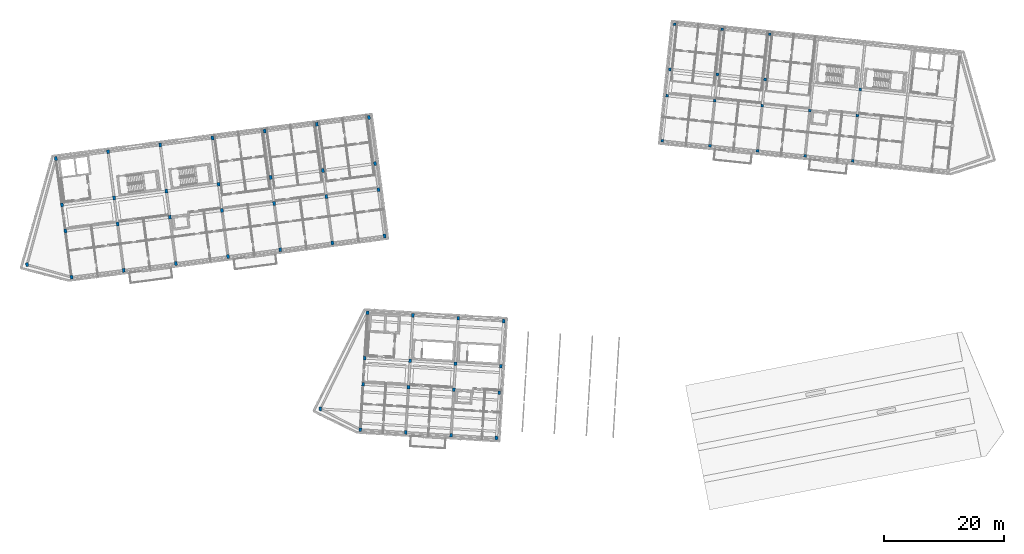
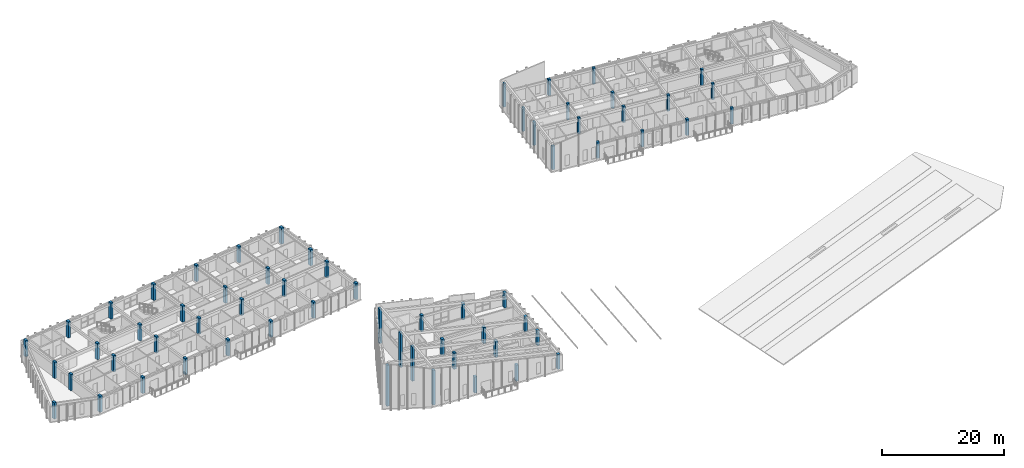
# One storey, part 1 of 45: 63 columns.
"""IFC4 building model written with IfcOpenShell, lengths in metres."""

from ifc_helpers import new_model, si_unit, direction, frame, origin, origin_2d, place, context, subcontext, project, spatial, rectangle, extrude, material, material_profile, profile_set, type_object, element, save


model = new_model("IFC4")

# Units and contexts
model_context = context("Model", 3, precision=1e-05, world=origin(), true_north=direction((0.0, 1.0)))
body_context = subcontext(model_context, "Body", "Model", "MODEL_VIEW")
ifc_project = project(units=[si_unit("LENGTHUNIT", "METRE"), si_unit("AREAUNIT", "SQUARE_METRE"), si_unit("VOLUMEUNIT", "CUBIC_METRE"), si_unit("PLANEANGLEUNIT", "RADIAN"), si_unit("MASSUNIT", "GRAM", prefix="KILO")], contexts=[model_context])

# Site, building, storey
site_placement = place(None, origin())
site = spatial("IfcSite", under=ifc_project, at=site_placement, CompositionType="ELEMENT")
building_placement = place(site_placement, origin())
building = spatial("IfcBuilding", under=site, at=building_placement, Name="Kestramere Prow Commons", CompositionType="ELEMENT")
storey_placement = place(building_placement, frame((0.0, 0.0, 31.14990234375)))
storey = spatial("IfcBuildingStorey", under=building, at=storey_placement, Name="L09", CompositionType="ELEMENT", Elevation=31.14990234375)

# Columns
ifc_material = material(Name="Precast concrete C40/50", Category="concrete")
ifc_material_profile_1 = material_profile(ifc_material, rectangle(XDim=0.449951171875, YDim=0.64990234375, at=origin_2d()), Name="PC-COL 450x650")
ifc_profile_set_1 = profile_set([ifc_material_profile_1], Name="Precast concrete C40/50")
column_type_1 = type_object("IfcColumnType", Name="C-A3 PC-COL 450x650", PredefinedType="COLUMN", material=ifc_profile_set_1)
for number, where, z_axis, x_axis, name in (
    (1, (11.199951171875, 72.0, 0.0), (0.0, 0.0, 1.0), (0.991444861374, 0.13052619222, 0.0), "Block A L09 Column 1-1"),
    (2, (10.181884765625, 79.733154296875, 0.0), (0.0, 0.0, 1.0), (0.991444861374, 0.13052619222, 0.0), "Block A L09 Column 1-2"),
    (3, (9.607666015625, 84.095703125, 0.0), (0.0, 0.0, 1.0), (0.991444861374, 0.13052619222, 0.0), "Block A L09 Column 1-3"),
    (4, (8.58935546875, 91.828857421875, 0.0), (0.0, 0.0, 1.0), (0.991444861374, 0.13052619222, 0.0), "Block A L09 Column 1-4"),
    (5, (19.9248046875, 73.148681640625, 0.0), (0.0, 0.0, 1.0), (0.991444861374, 0.13052619222, 0.0), "Block A L09 Column 2-1"),
    (6, (18.906494140625, 80.8818359375, 0.0), (0.0, 0.0, 1.0), (0.991444861374, 0.13052619222, 0.0), "Block A L09 Column 2-2"),
    (7, (18.332275390625, 85.244140625, 0.0), (0.0, 0.0, 1.0), (0.991444861374, 0.13052619222, 0.0), "Block A L09 Column 2-3"),
    (8, (17.314208984375, 92.9775390625, 0.0), (0.0, 0.0, 1.0), (0.991444861374, 0.13052619222, 0.0), "Block A L09 Column 2-4"),
    (9, (28.6494140625, 74.29736328125, 0.0), (0.0, 0.0, 1.0), (0.991444861374, 0.13052619222, 0.0), "Block A L09 Column 3-1"),
    (10, (27.63134765625, 82.030517578125, 0.0), (0.0, 0.0, 1.0), (0.991444861374, 0.13052619222, 0.0), "Block A L09 Column 3-2"),
    (11, (27.05712890625, 86.392822265625, 0.0), (0.0, 0.0, 1.0), (0.991444861374, 0.13052619222, 0.0), "Block A L09 Column 3-3"),
    (12, (26.038818359375, 94.126220703125, 0.0), (0.0, 0.0, 1.0), (0.991444861374, 0.13052619222, 0.0), "Block A L09 Column 3-4"),
    (13, (37.3740234375, 75.44580078125, 0.0), (0.0, 0.0, 1.0), (0.991444861374, 0.13052619222, 0.0), "Block A L09 Column 4-1"),
    (14, (36.35595703125, 83.17919921875, 0.0), (0.0, 0.0, 1.0), (0.991444861374, 0.13052619222, 0.0), "Block A L09 Column 4-2"),
    (15, (35.78173828125, 87.54150390625, 0.0), (0.0, 0.0, 1.0), (0.991444861374, 0.13052619222, 0.0), "Block A L09 Column 4-3"),
    (16, (34.763671875, 95.27490234375, 0.0), (0.0, 0.0, 1.0), (0.991444861374, 0.13052619222, 0.0), "Block A L09 Column 4-4"),
    (17, (46.098876953125, 76.594482421875, 0.0), (0.0, 0.0, 1.0), (0.991444861374, 0.13052619222, 0.0), "Block A L09 Column 5-1"),
    (18, (45.080810546875, 84.327880859375, 0.0), (0.0, 0.0, 1.0), (0.991444861374, 0.13052619222, 0.0), "Block A L09 Column 5-2"),
    (19, (44.50634765625, 88.690185546875, 0.0), (0.0, 0.0, 1.0), (0.991444861374, 0.13052619222, 0.0), "Block A L09 Column 5-3"),
    (20, (43.48828125, 96.42333984375, 0.0), (0.0, 0.0, 1.0), (0.991444861374, 0.13052619222, 0.0), "Block A L09 Column 5-4"),
    (21, (54.823486328125, 77.7431640625, 0.0), (0.0, 0.0, 1.0), (0.991444861374, 0.13052619222, 0.0), "Block A L09 Column 6-1"),
    (22, (53.805419921875, 85.476318359375, 0.0), (0.0, 0.0, 1.0), (0.991444861374, 0.13052619222, 0.0), "Block A L09 Column 6-2"),
    (23, (53.231201171875, 89.8388671875, 0.0), (0.0, 0.0, 1.0), (0.991444861374, 0.13052619222, 0.0), "Block A L09 Column 6-3"),
    (24, (52.213134765625, 97.572021484375, 0.0), (0.0, 0.0, 1.0), (0.991444861374, 0.13052619222, 0.0), "Block A L09 Column 6-4"),
    (25, (63.54833984375, 78.891845703125, 0.0), (0.0, 0.0, 1.0), (0.991444861374, 0.13052619222, 0.0), "Block A L09 Column 7-1"),
    (26, (62.5302734375, 86.625, 0.0), (0.0, 0.0, 1.0), (0.991444861374, 0.13052619222, 0.0), "Block A L09 Column 7-2"),
    (27, (61.955810546875, 90.9873046875, 0.0), (0.0, 0.0, 1.0), (0.991444861374, 0.13052619222, 0.0), "Block A L09 Column 7-3"),
    (28, (60.937744140625, 98.720703125, 0.0), (0.0, 0.0, 1.0), (0.991444861374, 0.13052619222, 0.0), "Block A L09 Column 7-4"),
    (29, (3.7626953125, 74.09716796875, 0.0), (0.0, 0.0, 1.0), (0.991444861374, 0.13052619222, 0.0), "Block A L09 Prow Apex Column"),
):
    element("IfcColumn", number, at=place(storey_placement, frame(where, z_axis=z_axis, x_axis=x_axis)), inside=storey, type_object=column_type_1, Name=name, PredefinedType="COLUMN", context=body_context, shape_type="SweptSolid", body=[
        extrude(rectangle(XDim=0.449951171875, YDim=0.64990234375, at=origin_2d()), origin(), (0.0, 0.0, 1.0), 3.25),
    ])
ifc_material_profile_2 = material_profile(ifc_material, rectangle(XDim=0.449951171875, YDim=0.449951171875, at=origin_2d()), Name="PC-COL 450x450")
ifc_profile_set_2 = profile_set([ifc_material_profile_2], Name="Precast concrete C40/50")
column_type_2 = type_object("IfcColumnType", Name="C-B3 PC-COL 450x450", PredefinedType="COLUMN", material=ifc_profile_set_2)
for number, where, z_axis, x_axis, name in (
    (30, (110.0, 94.800048828125, 0.0), (0.0, 0.0, 1.0), (0.994521895368, -0.104528463268, 0.0), "Block B L09 Column 1-1"),
    (31, (110.79443359375, 102.3583984375, 0.0), (0.0, 0.0, 1.0), (0.994521895368, -0.104528463268, 0.0), "Block B L09 Column 1-2"),
    (32, (111.25439453125, 106.734375, 0.0), (0.0, 0.0, 1.0), (0.994521895368, -0.104528463268, 0.0), "Block B L09 Column 1-3"),
    (33, (112.048828125, 114.292724609375, 0.0), (0.0, 0.0, 1.0), (0.994521895368, -0.104528463268, 0.0), "Block B L09 Column 1-4"),
):
    element("IfcColumn", number, at=place(storey_placement, frame(where, z_axis=z_axis, x_axis=x_axis)), inside=storey, type_object=column_type_2, Name=name, PredefinedType="COLUMN", context=body_context, shape_type="SweptSolid", body=[
        extrude(rectangle(XDim=0.449951171875, YDim=0.449951171875, at=origin_2d()), origin(), (0.0, 0.0, 1.0), 4.697021484375),
    ])
for number, where, z_axis, x_axis, name in (
    (34, (117.9560546875, 93.9638671875, 0.0), (0.0, 0.0, 1.0), (0.994521895368, -0.104528463268, 0.0), "Block B L09 Column 2-1"),
    (35, (118.75048828125, 101.522216796875, 0.0), (0.0, 0.0, 1.0), (0.994521895368, -0.104528463268, 0.0), "Block B L09 Column 2-2"),
    (36, (119.21044921875, 105.89794921875, 0.0), (0.0, 0.0, 1.0), (0.994521895368, -0.104528463268, 0.0), "Block B L09 Column 2-3"),
    (37, (120.0048828125, 113.456298828125, 0.0), (0.0, 0.0, 1.0), (0.994521895368, -0.104528463268, 0.0), "Block B L09 Column 2-4"),
    (38, (125.912353515625, 93.12744140625, 0.0), (0.0, 0.0, 1.0), (0.994521895368, -0.104528463268, 0.0), "Block B L09 Column 3-1"),
    (39, (126.706787109375, 100.685791015625, 0.0), (0.0, 0.0, 1.0), (0.994521895368, -0.104528463268, 0.0), "Block B L09 Column 3-2"),
    (40, (127.166748046875, 105.061767578125, 0.0), (0.0, 0.0, 1.0), (0.994521895368, -0.104528463268, 0.0), "Block B L09 Column 3-3"),
    (41, (127.961181640625, 112.6201171875, 0.0), (0.0, 0.0, 1.0), (0.994521895368, -0.104528463268, 0.0), "Block B L09 Column 3-4"),
    (42, (133.868408203125, 92.291259765625, 0.0), (0.0, 0.0, 1.0), (0.994521895368, -0.104528463268, 0.0), "Block B L09 Column 4-1"),
    (43, (134.662841796875, 99.849609375, 0.0), (0.0, 0.0, 1.0), (0.994521895368, -0.104528463268, 0.0), "Block B L09 Column 4-2"),
    (44, (141.82470703125, 91.455078125, 0.0), (0.0, 0.0, 1.0), (0.994521895368, -0.104528463268, 0.0), "Block B L09 Column 5-1"),
    (45, (142.619140625, 99.013427734375, 0.0), (0.0, 0.0, 1.0), (0.994521895368, -0.104528463268, 0.0), "Block B L09 Column 5-2"),
    (46, (143.0791015625, 103.389404296875, 0.0), (0.0, 0.0, 1.0), (0.994521895368, -0.104528463268, 0.0), "Block B L09 Column 5-3"),
):
    element("IfcColumn", number, at=place(storey_placement, frame(where, z_axis=z_axis, x_axis=x_axis)), inside=storey, type_object=column_type_2, Name=name, PredefinedType="COLUMN", context=body_context, shape_type="SweptSolid", body=[
        extrude(rectangle(XDim=0.449951171875, YDim=0.449951171875, at=origin_2d()), origin(), (0.0, 0.0, 1.0), 3.25),
    ])
ifc_material_profile_3 = material_profile(ifc_material, rectangle(XDim=0.449951171875, YDim=0.60009765625, at=origin_2d()), Name="PC-COL 450x600")
ifc_profile_set_3 = profile_set([ifc_material_profile_3], Name="Precast concrete C40/50")
column_type_3 = type_object("IfcColumnType", Name="C-C3 PC-COL 450x600", PredefinedType="COLUMN", material=ifc_profile_set_3)
for number, where, z_axis, x_axis, name in (
    (47, (59.5, 46.5, 0.0), (0.0, 0.0, 1.0), (0.998134798422, -0.061048539535, 0.0), "Block C L09 Column 1-1"),
    (48, (59.9638671875, 54.0859375, 0.0), (0.0, 0.0, 1.0), (0.998134798422, -0.061048539535, 0.0), "Block C L09 Column 1-2"),
    (49, (60.232666015625, 58.4775390625, 0.0), (0.0, 0.0, 1.0), (0.998134798422, -0.061048539535, 0.0), "Block C L09 Column 1-3"),
    (50, (60.696533203125, 66.0634765625, 0.0), (0.0, 0.0, 1.0), (0.998134798422, -0.061048539535, 0.0), "Block C L09 Column 1-4"),
):
    element("IfcColumn", number, at=place(storey_placement, frame(where, z_axis=z_axis, x_axis=x_axis)), inside=storey, type_object=column_type_3, Name=name, PredefinedType="COLUMN", context=body_context, shape_type="SweptSolid", body=[
        extrude(rectangle(XDim=0.449951171875, YDim=0.60009765625, at=origin_2d()), origin(), (0.0, 0.0, 1.0), 6.895263671875),
    ])
for number, where, z_axis, x_axis, name in (
    (51, (67.0859375, 46.0361328125, 0.0), (0.0, 0.0, 1.0), (0.998134798422, -0.061048539535, 0.0), "Block C L09 Column 2-1"),
    (52, (67.5498046875, 53.621826171875, 0.0), (0.0, 0.0, 1.0), (0.998134798422, -0.061048539535, 0.0), "Block C L09 Column 2-2"),
    (53, (67.818359375, 58.013671875, 0.0), (0.0, 0.0, 1.0), (0.998134798422, -0.061048539535, 0.0), "Block C L09 Column 2-3"),
    (54, (68.282470703125, 65.599365234375, 0.0), (0.0, 0.0, 1.0), (0.998134798422, -0.061048539535, 0.0), "Block C L09 Column 2-4"),
    (55, (74.671630859375, 45.572021484375, 0.0), (0.0, 0.0, 1.0), (0.998134798422, -0.061048539535, 0.0), "Block C L09 Column 3-1"),
    (56, (75.135498046875, 53.157958984375, 0.0), (0.0, 0.0, 1.0), (0.998134798422, -0.061048539535, 0.0), "Block C L09 Column 3-2"),
    (57, (75.404296875, 57.549560546875, 0.0), (0.0, 0.0, 1.0), (0.998134798422, -0.061048539535, 0.0), "Block C L09 Column 3-3"),
    (58, (75.8681640625, 65.135498046875, 0.0), (0.0, 0.0, 1.0), (0.998134798422, -0.061048539535, 0.0), "Block C L09 Column 3-4"),
):
    element("IfcColumn", number, at=place(storey_placement, frame(where, z_axis=z_axis, x_axis=x_axis)), inside=storey, type_object=column_type_3, Name=name, PredefinedType="COLUMN", context=body_context, shape_type="SweptSolid", body=[
        extrude(rectangle(XDim=0.449951171875, YDim=0.60009765625, at=origin_2d()), origin(), (0.0, 0.0, 1.0), 3.25),
    ])
for number, where, z_axis, x_axis, name in (
    (59, (82.257568359375, 45.108154296875, 0.0), (0.0, 0.0, 1.0), (0.998134798422, -0.061048539535, 0.0), "Block C L09 Column 4-1"),
    (60, (82.721435546875, 52.69384765625, 0.0), (0.0, 0.0, 1.0), (0.998134798422, -0.061048539535, 0.0), "Block C L09 Column 4-2"),
    (61, (82.989990234375, 57.085693359375, 0.0), (0.0, 0.0, 1.0), (0.998134798422, -0.061048539535, 0.0), "Block C L09 Column 4-3"),
    (62, (83.4541015625, 64.671630859375, 0.0), (0.0, 0.0, 1.0), (0.998134798422, -0.061048539535, 0.0), "Block C L09 Column 4-4"),
):
    element("IfcColumn", number, at=place(storey_placement, frame(where, z_axis=z_axis, x_axis=x_axis)), inside=storey, type_object=column_type_3, Name=name, PredefinedType="COLUMN", context=body_context, shape_type="SweptSolid", body=[
        extrude(rectangle(XDim=0.449951171875, YDim=0.60009765625, at=origin_2d()), origin(), (0.0, 0.0, 1.0), 3.0),
    ])
column_placement = place(storey_placement, frame((52.799072265625, 49.965576171875, 0.0), z_axis=(0.0, 0.0, 1.0), x_axis=(0.998134798422, -0.061048539535, 0.0)))
element("IfcColumn", 63, at=column_placement, inside=storey, type_object=column_type_3, Name="Block C L09 Prow Apex Column", PredefinedType="COLUMN", context=body_context, shape_type="SweptSolid", body=[
    extrude(rectangle(XDim=0.449951171875, YDim=0.60009765625, at=origin_2d()), origin(), (0.0, 0.0, 1.0), 8.15283203125),
])

save(model, "model.ifc")
